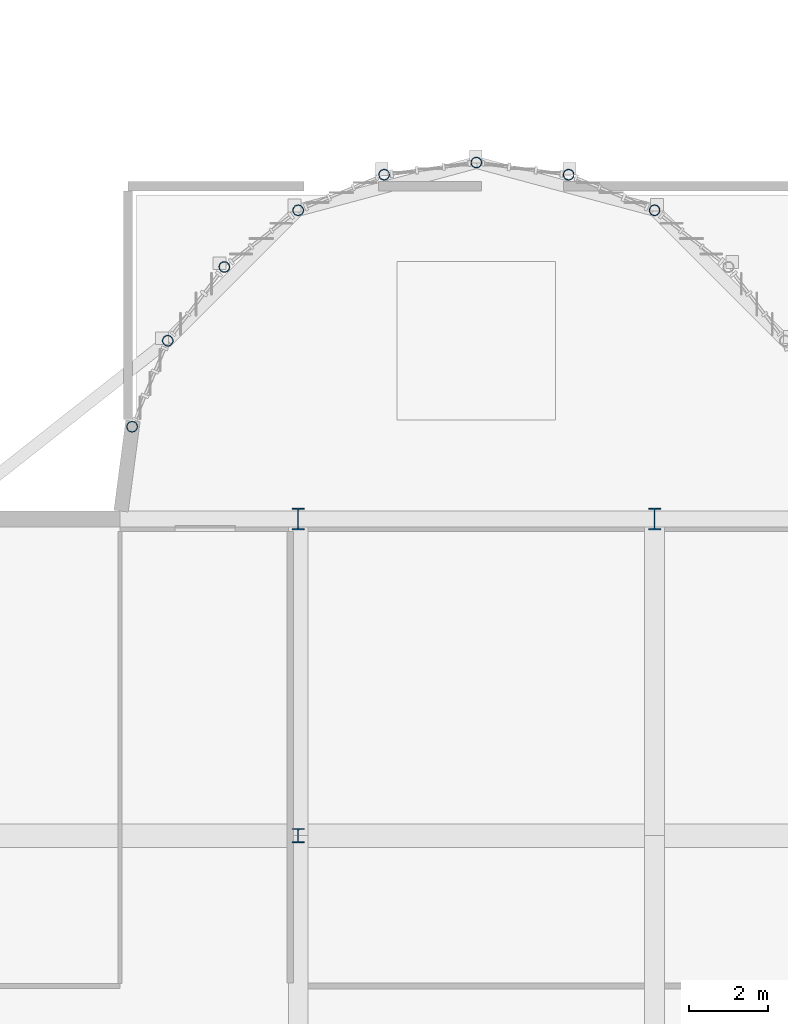
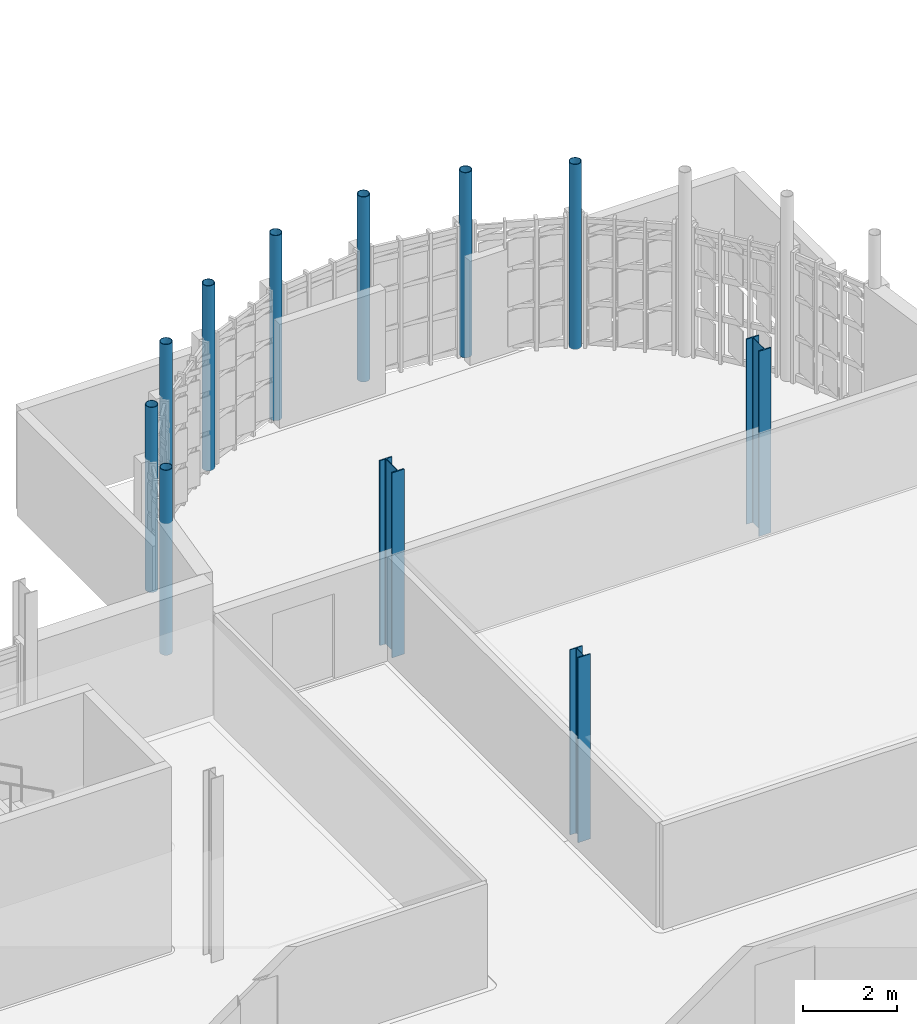
# One storey, part 4 of 128: 11 columns.
"""IFC4 building model written with IfcOpenShell, lengths in metres."""

from ifc_helpers import new_model, si_unit, direction, frame, origin, origin_2d, place, context, subcontext, project, spatial, hollow_circle, i_section, extrude, material, material_profile, profile_set, type_object, element, save


model = new_model("IFC4")

# Units and contexts
model_context = context("Model", 3, precision=1e-05, world=origin(), true_north=direction((0.0, 1.0)))
body_context = subcontext(model_context, "Body", "Model", "MODEL_VIEW")
ifc_project = project(units=[si_unit("LENGTHUNIT", "METRE"), si_unit("AREAUNIT", "SQUARE_METRE"), si_unit("VOLUMEUNIT", "CUBIC_METRE"), si_unit("PLANEANGLEUNIT", "RADIAN"), si_unit("MASSUNIT", "GRAM", prefix="KILO")], contexts=[model_context])

# Site, building, storey
site_placement = place(None, origin())
site = spatial("IfcSite", under=ifc_project, at=site_placement, CompositionType="ELEMENT")
building_placement = place(site_placement, origin())
building = spatial("IfcBuilding", under=site, at=building_placement, Name="Serraforn Aerial Cableway Station", CompositionType="ELEMENT")
storey_placement = place(building_placement, frame((0.0, 0.0, 9.0)))
storey = spatial("IfcBuildingStorey", under=building, at=storey_placement, Name="L02", CompositionType="ELEMENT", Elevation=9.0)

# Columns
ifc_material = material(Name="Steel S355J2", Category="steel")
ifc_material_profile_1 = material_profile(ifc_material, hollow_circle(Radius=0.136474609375, WallThickness=0.012451171875, at=origin_2d()), Name="CHS 273.0x12.5")
ifc_profile_set_1 = profile_set([ifc_material_profile_1], Name="Steel S355J2")
column_type_1 = type_object("IfcColumnType", Name="COL-ST-CHS273", PredefinedType="COLUMN", material=ifc_profile_set_1)
for number, where, z_axis, x_axis, name in (
    (1, (50.40673828125, 44.329345703125, 0.0), (0.0, 0.0, 1.0), (1.0, 0.0, 0.0), "Apse Radial Column L02-1"),
    (2, (51.305908203125, 46.5, 0.0), (0.0, 0.0, 1.0), (1.0, 0.0, 0.0), "Apse Radial Column L02-2"),
    (3, (52.736083984375, 48.364013671875, 0.0), (0.0, 0.0, 1.0), (1.0, 0.0, 0.0), "Apse Radial Column L02-3"),
    (4, (54.60009765625, 49.794189453125, 0.0), (0.0, 0.0, 1.0), (1.0, 0.0, 0.0), "Apse Radial Column L02-4"),
    (5, (56.7705078125, 50.693359375, 0.0), (0.0, 0.0, 1.0), (1.0, 0.0, 0.0), "Apse Radial Column L02-5"),
    (6, (59.10009765625, 51.0, 0.0), (0.0, 0.0, 1.0), (1.0, 0.0, 0.0), "Apse Radial Column L02-6"),
    (7, (61.429443359375, 50.693359375, 0.0), (0.0, 0.0, 1.0), (1.0, 0.0, 0.0), "Apse Radial Column L02-7"),
    (8, (63.60009765625, 49.794189453125, 0.0), (0.0, 0.0, 1.0), (1.0, 0.0, 0.0), "Apse Radial Column L02-8"),
):
    element("IfcColumn", number, at=place(storey_placement, frame(where, z_axis=z_axis, x_axis=x_axis)), inside=storey, type_object=column_type_1, Name=name, PredefinedType="COLUMN", context=body_context, shape_type="SweptSolid", body=[
        extrude(hollow_circle(Radius=0.136474609375, WallThickness=0.012451171875, at=origin_2d()), origin(), (0.0, 0.0, 1.0), 4.800048828125),
    ])
ifc_material_profile_2 = material_profile(ifc_material, i_section(OverallWidth=0.300048828125, OverallDepth=0.360107421875, WebThickness=0.012451171875, FlangeThickness=0.0224609375, FilletRadius=0.027099609375, at=origin_2d()), Name="HEB 360")
ifc_profile_set_2 = profile_set([ifc_material_profile_2], Name="Steel S355J2")
column_type_2 = type_object("IfcColumnType", Name="COL-ST-HEB360", PredefinedType="COLUMN", material=ifc_profile_set_2)
column_placement = place(storey_placement, frame((54.60009765625, 34.0, 0.0), z_axis=(0.0, 0.0, 1.0), x_axis=(1.0, 0.0, 0.0)))
element("IfcColumn", 9, at=column_placement, inside=storey, type_object=column_type_2, Name="Column CV L02 8-D2", PredefinedType="COLUMN", context=body_context, shape_type="SweptSolid", body=[
    extrude(i_section(OverallWidth=0.300048828125, OverallDepth=0.360107421875, WebThickness=0.012451171875, FlangeThickness=0.0224609375, FilletRadius=0.027099609375, at=origin_2d()), origin(), (0.0, 0.0, 1.0), 4.800048828125),
])
ifc_material_profile_3 = material_profile(ifc_material, i_section(OverallWidth=0.300048828125, OverallDepth=0.550048828125, WebThickness=0.014892578125, FlangeThickness=0.029052734375, FilletRadius=0.027099609375, at=origin_2d()), Name="HEB 550")
ifc_profile_set_3 = profile_set([ifc_material_profile_3], Name="Steel S355J2")
column_type_3 = type_object("IfcColumnType", Name="COL-ST-HEB550", PredefinedType="COLUMN", material=ifc_profile_set_3)
for number, where, z_axis, x_axis, name in (
    (10, (54.60009765625, 42.0, 0.0), (0.0, 0.0, 1.0), (1.0, 0.0, 0.0), "Column CV L02 8-F"),
    (11, (63.60009765625, 42.0, 0.0), (0.0, 0.0, 1.0), (1.0, 0.0, 0.0), "Column CV L02 9-F"),
):
    element("IfcColumn", number, at=place(storey_placement, frame(where, z_axis=z_axis, x_axis=x_axis)), inside=storey, type_object=column_type_3, Name=name, PredefinedType="COLUMN", context=body_context, shape_type="SweptSolid", body=[
        extrude(i_section(OverallWidth=0.300048828125, OverallDepth=0.550048828125, WebThickness=0.014892578125, FlangeThickness=0.029052734375, FilletRadius=0.027099609375, at=origin_2d()), origin(), (0.0, 0.0, 1.0), 4.800048828125),
    ])

save(model, "model.ifc")
